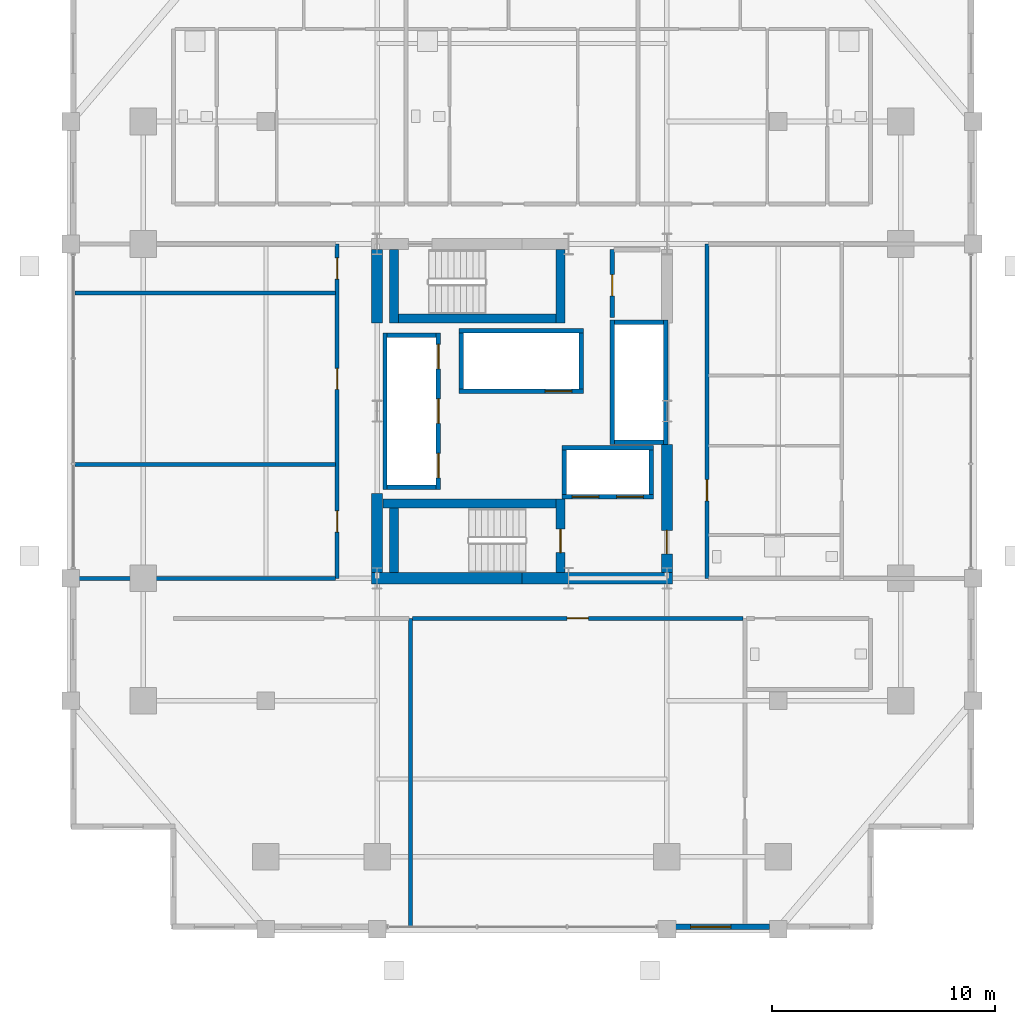
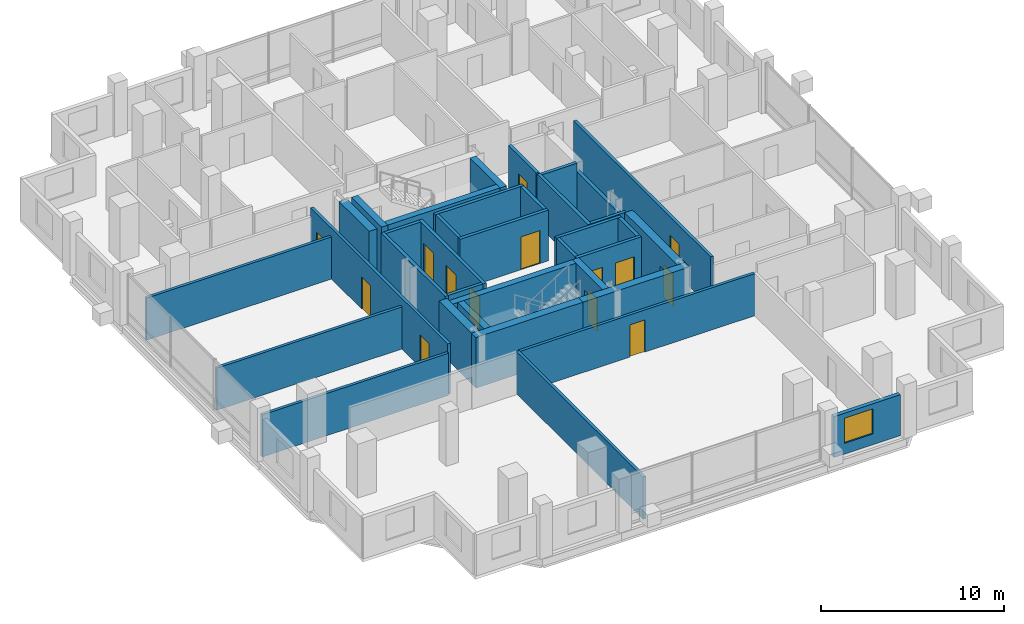
# One storey, part 14 of 19: 36 walls, 14 doors, 1 window, 15 openings.
"""IFC4 building model written with IfcOpenShell, lengths in metres."""

from ifc_helpers import new_model, si_unit, direction, frame, frame_2d, origin, place, context, subcontext, project, spatial, rectangle, extrude, material, layer, layer_set, type_object, element, fill, save


model = new_model("IFC4")

# Units and contexts
model_context = context("Model", 3, precision=1e-05, world=origin(), true_north=direction((0.0, 1.0)))
body_context = subcontext(model_context, "Body", "Model", "MODEL_VIEW")
ifc_project = project(units=[si_unit("LENGTHUNIT", "METRE"), si_unit("AREAUNIT", "SQUARE_METRE"), si_unit("VOLUMEUNIT", "CUBIC_METRE"), si_unit("PLANEANGLEUNIT", "RADIAN"), si_unit("MASSUNIT", "GRAM", prefix="KILO")], contexts=[model_context])

# Site, building, storey
site_placement = place(None, origin())
site = spatial("IfcSite", under=ifc_project, at=site_placement, CompositionType="ELEMENT")
building_placement = place(site_placement, origin())
building = spatial("IfcBuilding", under=site, at=building_placement, Name="Barlavira Tower and Art Museum", CompositionType="ELEMENT")
storey_placement = place(building_placement, frame((0.0, 0.0, 113.39990234375)))
storey = spatial("IfcBuildingStorey", under=building, at=storey_placement, Name="L28", CompositionType="ELEMENT", Elevation=113.39990234375)

# Walls
ifc_material_1 = material(Name="Concrete C60", Category="concrete")
ifc_layer_1 = layer(ifc_material_1, 0.5, Name="Concrete C60")
ifc_layer_set_1 = layer_set([ifc_layer_1], Name="Concrete C60")
wall_type_1 = type_object("IfcWallType", Name="Core Structural Shear Wall 500 Concrete C60", PredefinedType="SHEAR", material=ifc_layer_set_1)
for number, where, z_axis, x_axis, name in (
    (1, (-6.75, -7.5, 0.0), (0.0, 0.0, 1.0), (1.0, 0.0, 0.0), "L28 Core Shear Wall CS-SW"),
    (2, (0.0, -7.5, 0.0), (0.0, 0.0, 1.0), (1.0, 0.0, 0.0), "L28 Core Shear Wall CS-SE"),
):
    element("IfcWall", number, at=place(storey_placement, frame(where, z_axis=z_axis, x_axis=x_axis)), inside=storey, type_object=wall_type_1, Name=name, PredefinedType="SHEAR", context=body_context, shape_type="SweptSolid", body=[
        extrude(rectangle(XDim=6.75, YDim=0.5, at=frame_2d((3.375, 0.0))), origin(), (0.0, 0.0, 1.0), 3.380126953125),
    ])
wall_1_placement = place(storey_placement, frame((-6.5, -7.25, 0.0), z_axis=(0.0, 0.0, 1.0), x_axis=(0.0, 1.0, 0.0)))
element("IfcWall", 3, at=wall_1_placement, inside=storey, type_object=wall_type_1, Name="L28 Core Shear Wall CS-W1", PredefinedType="SHEAR", context=body_context, shape_type="SweptSolid", body=[
    extrude(rectangle(XDim=3.550048828125, YDim=0.5, at=frame_2d((1.77490234375, 0.0))), origin(), (0.0, 0.0, 1.0), 3.380126953125),
])
wall_2_placement = place(storey_placement, frame((-6.5, 3.949951171875, 0.0), z_axis=(0.0, 0.0, 1.0), x_axis=(0.0, 1.0, 0.0)))
element("IfcWall", 4, at=wall_2_placement, inside=storey, type_object=wall_type_1, Name="L28 Core Shear Wall CS-W2", PredefinedType="SHEAR", context=body_context, shape_type="SweptSolid", body=[
    extrude(rectangle(XDim=3.300048828125, YDim=0.5, at=frame_2d((1.64990234375, 0.0))), origin(), (0.0, 0.0, 1.0), 3.380126953125),
])

# Wall, opening, door
wall_3_placement = place(storey_placement, frame((6.5, -7.25, 0.0), z_axis=(0.0, 0.0, 1.0), x_axis=(0.0, 1.0, 0.0)))
wall_3 = element("IfcWall", 5, at=wall_3_placement, inside=storey, type_object=wall_type_1, Name="L28 Core Shear Wall CS-E1", PredefinedType="SHEAR", context=body_context, shape_type="SweptSolid", body=[
    extrude(rectangle(XDim=5.75, YDim=0.5, at=frame_2d((2.875, 0.0))), origin(), (0.0, 0.0, 1.0), 3.380126953125),
])
opening_1_placement = place(wall_3_placement, frame((0.85009765625, 0.0, 0.0)))
opening_1 = element("IfcOpeningElement", 6, at=opening_1_placement, cuts=wall_3, Name="Opening FD-90", PredefinedType="OPENING", context=body_context, shape_type="SweptSolid", body=[
    extrude(rectangle(XDim=1.050048828125, YDim=2.14990234375, at=frame_2d((0.52490234375, 1.074951171875))), frame((0.0, 0.260009765625, 0.0), z_axis=(0.0, -1.0, 0.0), x_axis=(1.0, 0.0, 0.0)), (0.0, 0.0, 1.0), 0.52001953125),
])
ifc_material_2 = material(Name="Brushed stainless steel", Category="steel")
door_type_1 = type_object("IfcDoorType", Name="Stair and Refuge Fire Door 1050x2150 FD90S", OperationType="NOTDEFINED", PredefinedType="DOOR", material=ifc_material_2)
door_1_placement = place(opening_1_placement, origin())
door_1 = element("IfcDoor", 7, at=door_1_placement, inside=storey, type_object=door_type_1, Name="L28 Firefighting Lobby Entry Fire Door", OperationType="SINGLE_SWING_LEFT", OverallHeight=2.14990234375, OverallWidth=1.050048828125, PredefinedType="DOOR", context=body_context, shape_type="SweptSolid", body=[
    extrude(rectangle(XDim=1.050048828125, YDim=2.14990234375, at=frame_2d((0.52490234375, 1.074951171875))), frame((0.0, 0.02490234375, 0.0), z_axis=(0.0, -1.0, 0.0), x_axis=(1.0, 0.0, 0.0)), (0.0, 0.0, 1.0), 0.050048828125),
])
fill(opening_1, door_1)

# Wall, openings, doors
ifc_material_3 = material(Name="Autoclaved aerated concrete masonry", Category="masonry")
ifc_layer_2 = layer(ifc_material_3, 0.199951171875, Name="Autoclaved aerated concrete masonry")
ifc_layer_set_2 = layer_set([ifc_layer_2], Name="Autoclaved aerated concrete masonry")
wall_type_2 = type_object("IfcWallType", Name="Fire Compartment and Shaft Wall 200", PredefinedType="SOLIDWALL", material=ifc_layer_set_2)
wall_4_placement = place(storey_placement, frame((-3.75, -3.510009765625, 0.0), z_axis=(0.0, 0.0, 1.0), x_axis=(0.0, 1.0, 0.0)))
wall_4 = element("IfcWall", 8, at=wall_4_placement, inside=storey, type_object=wall_type_2, Name="L28 Low-Rise Lift Front Shaft Wall", PredefinedType="SOLIDWALL", context=body_context, shape_type="SweptSolid", body=[
    extrude(rectangle(XDim=7.02001953125, YDim=0.199951171875, at=frame_2d((3.510009765625, 0.0))), origin(), (0.0, 0.0, 1.0), 3.380126953125),
])
opening_2_placement = place(wall_4_placement, frame((0.510009765625, 0.0, 0.0)))
opening_2 = element("IfcOpeningElement", 9, at=opening_2_placement, cuts=wall_4, Name="Opening LD-P", PredefinedType="OPENING", context=body_context, shape_type="SweptSolid", body=[
    extrude(rectangle(XDim=1.10009765625, YDim=2.14990234375, at=frame_2d((0.550048828125, 1.074951171875))), frame((0.0, 0.10986328125, 0.0), z_axis=(0.0, -1.0, 0.0), x_axis=(1.0, 0.0, 0.0)), (0.0, 0.0, 1.0), 0.219970703125),
])
opening_3_placement = place(wall_4_placement, frame((2.9599609375, 0.0, 0.0)))
opening_3 = element("IfcOpeningElement", 10, at=opening_3_placement, cuts=wall_4, Name="Opening LD-P", PredefinedType="OPENING", context=body_context, shape_type="SweptSolid", body=[
    extrude(rectangle(XDim=1.10009765625, YDim=2.14990234375, at=frame_2d((0.550048828125, 1.074951171875))), frame((0.0, 0.10986328125, 0.0), z_axis=(0.0, -1.0, 0.0), x_axis=(1.0, 0.0, 0.0)), (0.0, 0.0, 1.0), 0.219970703125),
])
opening_4_placement = place(wall_4_placement, frame((5.409912109375, 0.0, 0.0)))
opening_4 = element("IfcOpeningElement", 11, at=opening_4_placement, cuts=wall_4, Name="Opening LD-P", PredefinedType="OPENING", context=body_context, shape_type="SweptSolid", body=[
    extrude(rectangle(XDim=1.10009765625, YDim=2.14990234375, at=frame_2d((0.550048828125, 1.074951171875))), frame((0.0, 0.10986328125, 0.0), z_axis=(0.0, -1.0, 0.0), x_axis=(1.0, 0.0, 0.0)), (0.0, 0.0, 1.0), 0.219970703125),
])
door_type_2 = type_object("IfcDoorType", Name="Passenger Lift Sliding Landing Door 1100x2150 FD60", OperationType="NOTDEFINED", PredefinedType="DOOR", material=ifc_material_2)
door_2_placement = place(opening_2_placement, origin())
door_2 = element("IfcDoor", 12, at=door_2_placement, inside=storey, type_object=door_type_2, Name="L28 Lift PL1 Sliding Landing Door", OperationType="DOUBLE_DOOR_SLIDING", OverallHeight=2.14990234375, OverallWidth=1.10009765625, PredefinedType="DOOR", context=body_context, shape_type="SweptSolid", body=[
    extrude(rectangle(XDim=1.10009765625, YDim=2.14990234375, at=frame_2d((0.550048828125, 1.074951171875))), frame((0.0, 0.02490234375, 0.0), z_axis=(0.0, -1.0, 0.0), x_axis=(1.0, 0.0, 0.0)), (0.0, 0.0, 1.0), 0.050048828125),
])
fill(opening_2, door_2)
door_3_placement = place(opening_3_placement, origin())
door_3 = element("IfcDoor", 13, at=door_3_placement, inside=storey, type_object=door_type_2, Name="L28 Lift PL2 Sliding Landing Door", OperationType="DOUBLE_DOOR_SLIDING", OverallHeight=2.14990234375, OverallWidth=1.10009765625, PredefinedType="DOOR", context=body_context, shape_type="SweptSolid", body=[
    extrude(rectangle(XDim=1.10009765625, YDim=2.14990234375, at=frame_2d((0.550048828125, 1.074951171875))), frame((0.0, 0.02490234375, 0.0), z_axis=(0.0, -1.0, 0.0), x_axis=(1.0, 0.0, 0.0)), (0.0, 0.0, 1.0), 0.050048828125),
])
fill(opening_3, door_3)
door_4_placement = place(opening_4_placement, origin())
door_4 = element("IfcDoor", 14, at=door_4_placement, inside=storey, type_object=door_type_2, Name="L28 Lift PL3 Sliding Landing Door", OperationType="DOUBLE_DOOR_SLIDING", OverallHeight=2.14990234375, OverallWidth=1.10009765625, PredefinedType="DOOR", context=body_context, shape_type="SweptSolid", body=[
    extrude(rectangle(XDim=1.10009765625, YDim=2.14990234375, at=frame_2d((0.550048828125, 1.074951171875))), frame((0.0, 0.02490234375, 0.0), z_axis=(0.0, -1.0, 0.0), x_axis=(1.0, 0.0, 0.0)), (0.0, 0.0, 1.0), 0.050048828125),
])
fill(opening_4, door_4)

# Walls
wall_5_placement = place(storey_placement, frame((-6.14990234375, -3.510009765625, 0.0), z_axis=(0.0, 0.0, 1.0), x_axis=(0.0, 1.0, 0.0)))
element("IfcWall", 15, at=wall_5_placement, inside=storey, type_object=wall_type_2, Name="L28 Low-Rise Lift Back Shaft Wall", PredefinedType="SOLIDWALL", context=body_context, shape_type="SweptSolid", body=[
    extrude(rectangle(XDim=7.02001953125, YDim=0.199951171875, at=frame_2d((3.510009765625, 0.0))), origin(), (0.0, 0.0, 1.0), 3.380126953125),
])
for number, where, z_axis, x_axis, name in (
    (16, (-6.050048828125, -3.409912109375, 0.0), (0.0, 0.0, 1.0), (1.0, 0.0, 0.0), "L28 Low-Rise Lift South Shaft Wall"),
    (17, (-6.050048828125, 3.409912109375, 0.0), (0.0, 0.0, 1.0), (1.0, 0.0, 0.0), "L28 Low-Rise Lift North Shaft Wall"),
):
    element("IfcWall", number, at=place(storey_placement, frame(where, z_axis=z_axis, x_axis=x_axis)), inside=storey, type_object=wall_type_2, Name=name, PredefinedType="SOLIDWALL", context=body_context, shape_type="SweptSolid", body=[
        extrude(rectangle(XDim=2.199951171875, YDim=0.199951171875, at=frame_2d((1.10009765625, 0.0))), origin(), (0.0, 0.0, 1.0), 3.380126953125),
    ])
wall_6_placement = place(storey_placement, frame((4.050048828125, -1.489990234375, 0.0), z_axis=(0.0, 0.0, 1.0), x_axis=(0.0, 1.0, 0.0)))
element("IfcWall", 18, at=wall_6_placement, inside=storey, type_object=wall_type_2, Name="L28 Mid-Rise Lift Front Shaft Wall", PredefinedType="SOLIDWALL", context=body_context, shape_type="SweptSolid", body=[
    extrude(rectangle(XDim=5.580078125, YDim=0.199951171875, at=frame_2d((2.7900390625, 0.0))), origin(), (0.0, 0.0, 1.0), 3.380126953125),
])
wall_7_placement = place(storey_placement, frame((6.449951171875, -1.489990234375, 0.0), z_axis=(0.0, 0.0, 1.0), x_axis=(0.0, 1.0, 0.0)))
element("IfcWall", 19, at=wall_7_placement, inside=storey, type_object=wall_type_2, Name="L28 Mid-Rise Lift Back Shaft Wall", PredefinedType="SOLIDWALL", context=body_context, shape_type="SweptSolid", body=[
    extrude(rectangle(XDim=5.580078125, YDim=0.199951171875, at=frame_2d((2.7900390625, 0.0))), origin(), (0.0, 0.0, 1.0), 2.816162109375),
])
for number, where, z_axis, x_axis, name in (
    (20, (4.14990234375, -1.389892578125, 0.0), (0.0, 0.0, 1.0), (1.0, 0.0, 0.0), "L28 Mid-Rise Lift South Shaft Wall"),
    (21, (4.14990234375, 3.989990234375, 0.0), (0.0, 0.0, 1.0), (1.0, 0.0, 0.0), "L28 Mid-Rise Lift North Shaft Wall"),
):
    element("IfcWall", number, at=place(storey_placement, frame(where, z_axis=z_axis, x_axis=x_axis)), inside=storey, type_object=wall_type_2, Name=name, PredefinedType="SOLIDWALL", context=body_context, shape_type="SweptSolid", body=[
        extrude(rectangle(XDim=2.2001953125, YDim=0.199951171875, at=frame_2d((1.10009765625, 0.0))), origin(), (0.0, 0.0, 1.0), 3.380126953125),
    ])

# Wall, opening, door
wall_8_placement = place(storey_placement, frame((-2.820068359375, 0.89990234375, 0.0), z_axis=(0.0, 0.0, 1.0), x_axis=(1.0, 0.0, 0.0)))
wall_8 = element("IfcWall", 22, at=wall_8_placement, inside=storey, type_object=wall_type_2, Name="L28 High-Rise & Service Lift Front Wall", PredefinedType="SOLIDWALL", context=body_context, shape_type="SweptSolid", body=[
    extrude(rectangle(XDim=5.580078125, YDim=0.199951171875, at=frame_2d((2.7900390625, 0.0))), origin(), (0.0, 0.0, 1.0), 3.380126953125),
])
opening_5_placement = place(wall_8_placement, frame((3.860107421875, 0.0, 0.0)))
opening_5 = element("IfcOpeningElement", 23, at=opening_5_placement, cuts=wall_8, Name="Opening LD-F", PredefinedType="OPENING", context=body_context, shape_type="SweptSolid", body=[
    extrude(rectangle(XDim=1.199951171875, YDim=2.199951171875, at=frame_2d((0.60009765625, 1.10009765625))), frame((0.0, 0.10986328125, 0.0), z_axis=(0.0, -1.0, 0.0), x_axis=(1.0, 0.0, 0.0)), (0.0, 0.0, 1.0), 0.219970703125),
])
door_type_3 = type_object("IfcDoorType", Name="Firefighting and Service Lift Sliding Door 1200x2200 FD120", OperationType="NOTDEFINED", PredefinedType="DOOR", material=ifc_material_2)
door_5_placement = place(opening_5_placement, origin())
door_5 = element("IfcDoor", 24, at=door_5_placement, inside=storey, type_object=door_type_3, Name="L28 Stretcher Service Lift SL1 Sliding Door", OperationType="DOUBLE_DOOR_SLIDING", OverallHeight=2.199951171875, OverallWidth=1.199951171875, PredefinedType="DOOR", context=body_context, shape_type="SweptSolid", body=[
    extrude(rectangle(XDim=1.199951171875, YDim=2.199951171875, at=frame_2d((0.60009765625, 1.10009765625))), frame((0.0, 0.02490234375, 0.0), z_axis=(0.0, -1.0, 0.0), x_axis=(1.0, 0.0, 0.0)), (0.0, 0.0, 1.0), 0.050048828125),
])
fill(opening_5, door_5)

# Walls
wall_9_placement = place(storey_placement, frame((-2.820068359375, 3.60009765625, 0.0), z_axis=(0.0, 0.0, 1.0), x_axis=(1.0, 0.0, 0.0)))
element("IfcWall", 25, at=wall_9_placement, inside=storey, type_object=wall_type_2, Name="L28 High-Rise & Service Lift Back Wall", PredefinedType="SOLIDWALL", context=body_context, shape_type="SweptSolid", body=[
    extrude(rectangle(XDim=5.580078125, YDim=0.199951171875, at=frame_2d((2.7900390625, 0.0))), origin(), (0.0, 0.0, 1.0), 3.380126953125),
])
for number, where, z_axis, x_axis, name in (
    (26, (-2.719970703125, 1.0, 0.0), (0.0, 0.0, 1.0), (0.0, 1.0, 0.0), "L28 High-Rise & Service Lift West Wall"),
    (27, (2.659912109375, 1.0, 0.0), (0.0, 0.0, 1.0), (0.0, 1.0, 0.0), "L28 High-Rise & Service Lift East Wall"),
):
    element("IfcWall", number, at=place(storey_placement, frame(where, z_axis=z_axis, x_axis=x_axis)), inside=storey, type_object=wall_type_2, Name=name, PredefinedType="SOLIDWALL", context=body_context, shape_type="SweptSolid", body=[
        extrude(rectangle(XDim=2.5, YDim=0.199951171875, at=frame_2d((1.25, 0.0))), origin(), (0.0, 0.0, 1.0), 3.380126953125),
    ])

# Wall, openings, doors
wall_10_placement = place(storey_placement, frame((1.800048828125, -3.85009765625, 0.0), z_axis=(0.0, 0.0, 1.0), x_axis=(1.0, 0.0, 0.0)))
wall_10 = element("IfcWall", 28, at=wall_10_placement, inside=storey, type_object=wall_type_2, Name="L28 Firefighting Lift Front Shaft Wall", PredefinedType="SOLIDWALL", context=body_context, shape_type="SweptSolid", body=[
    extrude(rectangle(XDim=4.099853515625, YDim=0.199951171875, at=frame_2d((2.0498046875, 0.0))), origin(), (0.0, 0.0, 1.0), 3.380126953125),
])
opening_6_placement = place(wall_10_placement, frame((0.449951171875, 0.0, 0.0)))
opening_6 = element("IfcOpeningElement", 29, at=opening_6_placement, cuts=wall_10, Name="Opening LD-F", PredefinedType="OPENING", context=body_context, shape_type="SweptSolid", body=[
    extrude(rectangle(XDim=1.199951171875, YDim=2.199951171875, at=frame_2d((0.60009765625, 1.10009765625))), frame((0.0, 0.10986328125, 0.0), z_axis=(0.0, -1.0, 0.0), x_axis=(1.0, 0.0, 0.0)), (0.0, 0.0, 1.0), 0.219970703125),
])
opening_7_placement = place(wall_10_placement, frame((2.449951171875, 0.0, 0.0)))
opening_7 = element("IfcOpeningElement", 30, at=opening_7_placement, cuts=wall_10, Name="Opening LD-F", PredefinedType="OPENING", context=body_context, shape_type="SweptSolid", body=[
    extrude(rectangle(XDim=1.199951171875, YDim=2.199951171875, at=frame_2d((0.60009765625, 1.10009765625))), frame((0.0, 0.10986328125, 0.0), z_axis=(0.0, -1.0, 0.0), x_axis=(1.0, 0.0, 0.0)), (0.0, 0.0, 1.0), 0.219970703125),
])
door_6_placement = place(opening_6_placement, origin())
door_6 = element("IfcDoor", 31, at=door_6_placement, inside=storey, type_object=door_type_3, Name="L28 Firefighting Lift FF1 Sliding Door", OperationType="DOUBLE_DOOR_SLIDING", OverallHeight=2.199951171875, OverallWidth=1.199951171875, PredefinedType="DOOR", context=body_context, shape_type="SweptSolid", body=[
    extrude(rectangle(XDim=1.199951171875, YDim=2.199951171875, at=frame_2d((0.60009765625, 1.10009765625))), frame((0.0, 0.02490234375, 0.0), z_axis=(0.0, -1.0, 0.0), x_axis=(1.0, 0.0, 0.0)), (0.0, 0.0, 1.0), 0.050048828125),
])
fill(opening_6, door_6)
door_7_placement = place(opening_7_placement, origin())
door_7 = element("IfcDoor", 32, at=door_7_placement, inside=storey, type_object=door_type_3, Name="L28 Firefighting Lift FF2 Sliding Door", OperationType="DOUBLE_DOOR_SLIDING", OverallHeight=2.199951171875, OverallWidth=1.199951171875, PredefinedType="DOOR", context=body_context, shape_type="SweptSolid", body=[
    extrude(rectangle(XDim=1.199951171875, YDim=2.199951171875, at=frame_2d((0.60009765625, 1.10009765625))), frame((0.0, 0.02490234375, 0.0), z_axis=(0.0, -1.0, 0.0), x_axis=(1.0, 0.0, 0.0)), (0.0, 0.0, 1.0), 0.050048828125),
])
fill(opening_7, door_7)

# Walls
wall_11_placement = place(storey_placement, frame((1.800048828125, -1.64990234375, 0.0), z_axis=(0.0, 0.0, 1.0), x_axis=(1.0, 0.0, 0.0)))
element("IfcWall", 33, at=wall_11_placement, inside=storey, type_object=wall_type_2, Name="L28 Firefighting Lift Back Shaft Wall", PredefinedType="SOLIDWALL", context=body_context, shape_type="SweptSolid", body=[
    extrude(rectangle(XDim=4.099853515625, YDim=0.199951171875, at=frame_2d((2.0498046875, 0.0))), origin(), (0.0, 0.0, 1.0), 3.380126953125),
])
for number, where, z_axis, x_axis, name in (
    (34, (1.89990234375, -3.75, 0.0), (0.0, 0.0, 1.0), (0.0, 1.0, 0.0), "L28 Firefighting Lift West Shaft Wall"),
    (35, (5.800048828125, -3.75, 0.0), (0.0, 0.0, 1.0), (0.0, 1.0, 0.0), "L28 Firefighting Lift East Shaft Wall"),
):
    element("IfcWall", number, at=place(storey_placement, frame(where, z_axis=z_axis, x_axis=x_axis)), inside=storey, type_object=wall_type_2, Name=name, PredefinedType="SOLIDWALL", context=body_context, shape_type="SweptSolid", body=[
        extrude(rectangle(XDim=2.0, YDim=0.199951171875, at=frame_2d((1.0, 0.0))), origin(), (0.0, 0.0, 1.0), 3.380126953125),
    ])

# Wall, opening, door
wall_12_placement = place(storey_placement, frame((4.050048828125, 4.199951171875, 0.0), z_axis=(0.0, 0.0, 1.0), x_axis=(0.0, 1.0, 0.0)))
wall_12 = element("IfcWall", 36, at=wall_12_placement, inside=storey, type_object=wall_type_2, Name="L28 Partition Wall 11", PredefinedType="SOLIDWALL", context=body_context, shape_type="SweptSolid", body=[
    extrude(rectangle(XDim=3.050048828125, YDim=0.199951171875, at=frame_2d((1.52490234375, 0.0))), origin(), (0.0, 0.0, 1.0), 3.380126953125),
])
opening_8_placement = place(wall_12_placement, frame((0.97509765625, 0.0, 0.0)))
opening_8 = element("IfcOpeningElement", 37, at=opening_8_placement, cuts=wall_12, Name="Opening FD-60", PredefinedType="OPENING", context=body_context, shape_type="SweptSolid", body=[
    extrude(rectangle(XDim=0.949951171875, YDim=2.14990234375, at=frame_2d((0.47509765625, 1.074951171875))), frame((0.0, 0.10986328125, 0.0), z_axis=(0.0, -1.0, 0.0), x_axis=(1.0, 0.0, 0.0)), (0.0, 0.0, 1.0), 0.219970703125),
])
door_type_4 = type_object("IfcDoorType", Name="Apartment Entrance and Riser Fire Door 950x2150 FD60S", OperationType="NOTDEFINED", PredefinedType="DOOR", material=ifc_material_2)
door_8_placement = place(opening_8_placement, origin())
door_8 = element("IfcDoor", 38, at=door_8_placement, inside=storey, type_object=door_type_4, Name="Combined Electrical and Telecom Plant Room Door", OperationType="SINGLE_SWING_LEFT", OverallHeight=2.14990234375, OverallWidth=0.949951171875, PredefinedType="DOOR", context=body_context, shape_type="SweptSolid", body=[
    extrude(rectangle(XDim=0.949951171875, YDim=2.14990234375, at=frame_2d((0.47509765625, 1.074951171875))), frame((0.0, 0.02490234375, 0.0), z_axis=(0.0, -1.0, 0.0), x_axis=(1.0, 0.0, 0.0)), (0.0, 0.0, 1.0), 0.050048828125),
])
fill(opening_8, door_8)

# Wall, openings, doors
ifc_material_4 = material(Name="Gypsum acoustic stud partition", Category="gypsum")
ifc_layer_3 = layer(ifc_material_4, 0.179931640625, Name="Gypsum acoustic stud partition")
ifc_layer_set_3 = layer_set([ifc_layer_3], Name="Gypsum acoustic stud partition")
wall_type_3 = type_object("IfcWallType", Name="Inter-Tenancy Party Partition Wall 180", PredefinedType="PARTITIONING", material=ifc_layer_set_3)
wall_13_placement = place(storey_placement, frame((-8.300048828125, -7.5, 0.0), z_axis=(0.0, 0.0, 1.0), x_axis=(0.0, 1.0, 0.0)))
wall_13 = element("IfcWall", 39, at=wall_13_placement, inside=storey, type_object=wall_type_3, Name="L28 Partition Wall 5", PredefinedType="PARTITIONING", context=body_context, shape_type="SweptSolid", body=[
    extrude(rectangle(XDim=15.0, YDim=0.179931640625, at=frame_2d((7.5, 0.0))), origin(), (0.0, 0.0, 1.0), 3.380126953125),
])
opening_9_placement = place(wall_13_placement, frame((2.074951171875, 0.0, 0.0)))
opening_9 = element("IfcOpeningElement", 40, at=opening_9_placement, cuts=wall_13, Name="Opening FD-60", PredefinedType="OPENING", context=body_context, shape_type="SweptSolid", body=[
    extrude(rectangle(XDim=0.949951171875, YDim=2.14990234375, at=frame_2d((0.47509765625, 1.074951171875))), frame((0.0, 0.10009765625, 0.0), z_axis=(0.0, -1.0, 0.0), x_axis=(1.0, 0.0, 0.0)), (0.0, 0.0, 1.0), 0.199951171875),
])
opening_10_placement = place(wall_13_placement, frame((8.47509765625, 0.0, 0.0)))
opening_10 = element("IfcOpeningElement", 41, at=opening_10_placement, cuts=wall_13, Name="Opening FD-60", PredefinedType="OPENING", context=body_context, shape_type="SweptSolid", body=[
    extrude(rectangle(XDim=0.949951171875, YDim=2.14990234375, at=frame_2d((0.47509765625, 1.074951171875))), frame((0.0, 0.10009765625, 0.0), z_axis=(0.0, -1.0, 0.0), x_axis=(1.0, 0.0, 0.0)), (0.0, 0.0, 1.0), 0.199951171875),
])
opening_11_placement = place(wall_13_placement, frame((13.425048828125, 0.0, 0.0)))
opening_11 = element("IfcOpeningElement", 42, at=opening_11_placement, cuts=wall_13, Name="Opening FD-60", PredefinedType="OPENING", context=body_context, shape_type="SweptSolid", body=[
    extrude(rectangle(XDim=0.949951171875, YDim=2.14990234375, at=frame_2d((0.47509765625, 1.074951171875))), frame((0.0, 0.10009765625, 0.0), z_axis=(0.0, -1.0, 0.0), x_axis=(1.0, 0.0, 0.0)), (0.0, 0.0, 1.0), 0.199951171875),
])
door_9_placement = place(opening_9_placement, origin())
door_9 = element("IfcDoor", 43, at=door_9_placement, inside=storey, type_object=door_type_4, Name="Resident Sky Coworking Studio Door", OperationType="SINGLE_SWING_LEFT", OverallHeight=2.14990234375, OverallWidth=0.949951171875, PredefinedType="DOOR", context=body_context, shape_type="SweptSolid", body=[
    extrude(rectangle(XDim=0.949951171875, YDim=2.14990234375, at=frame_2d((0.47509765625, 1.074951171875))), frame((0.0, 0.02490234375, 0.0), z_axis=(0.0, -1.0, 0.0), x_axis=(1.0, 0.0, 0.0)), (0.0, 0.0, 1.0), 0.050048828125),
])
fill(opening_9, door_9)
door_10_placement = place(opening_10_placement, origin())
door_10 = element("IfcDoor", 44, at=door_10_placement, inside=storey, type_object=door_type_4, Name="Atlantic Horizon Boardroom Door", OperationType="SINGLE_SWING_RIGHT", OverallHeight=2.14990234375, OverallWidth=0.949951171875, PredefinedType="DOOR", context=body_context, shape_type="SweptSolid", body=[
    extrude(rectangle(XDim=0.949951171875, YDim=2.14990234375, at=frame_2d((0.47509765625, 1.074951171875))), frame((0.0, 0.02490234375, 0.0), z_axis=(0.0, -1.0, 0.0), x_axis=(1.0, 0.0, 0.0)), (0.0, 0.0, 1.0), 0.050048828125),
])
fill(opening_10, door_10)
door_11_placement = place(opening_11_placement, origin())
door_11 = element("IfcDoor", 45, at=door_11_placement, inside=storey, type_object=door_type_4, Name="Shared Coworking Espresso Pantry Door", OperationType="SINGLE_SWING_LEFT", OverallHeight=2.14990234375, OverallWidth=0.949951171875, PredefinedType="DOOR", context=body_context, shape_type="SweptSolid", body=[
    extrude(rectangle(XDim=0.949951171875, YDim=2.14990234375, at=frame_2d((0.47509765625, 1.074951171875))), frame((0.0, 0.02490234375, 0.0), z_axis=(0.0, -1.0, 0.0), x_axis=(1.0, 0.0, 0.0)), (0.0, 0.0, 1.0), 0.050048828125),
])
fill(opening_11, door_11)

# Wall
wall_14_placement = place(storey_placement, frame((-5.0, -23.14990234375, 0.0), z_axis=(0.0, 0.0, 1.0), x_axis=(0.0, 1.0, 0.0)))
element("IfcWall", 46, at=wall_14_placement, inside=storey, type_object=wall_type_3, Name="L28 Partition Wall 7", PredefinedType="PARTITIONING", context=body_context, shape_type="SweptSolid", body=[
    extrude(rectangle(XDim=13.849853515625, YDim=0.179931640625, at=frame_2d((6.9248046875, 0.0))), origin(), (0.0, 0.0, 1.0), 2.816162109375),
])

# Wall, opening, door
wall_15_placement = place(storey_placement, frame((8.300048828125, -7.5, 0.0), z_axis=(0.0, 0.0, 1.0), x_axis=(0.0, 1.0, 0.0)))
wall_15 = element("IfcWall", 47, at=wall_15_placement, inside=storey, type_object=wall_type_3, Name="L28 Partition Wall 13", PredefinedType="PARTITIONING", context=body_context, shape_type="SweptSolid", body=[
    extrude(rectangle(XDim=15.0, YDim=0.179931640625, at=frame_2d((7.5, 0.0))), origin(), (0.0, 0.0, 1.0), 3.380126953125),
])
opening_12_placement = place(wall_15_placement, frame((3.47509765625, 0.0, 0.0)))
opening_12 = element("IfcOpeningElement", 48, at=opening_12_placement, cuts=wall_15, Name="Opening FD-60", PredefinedType="OPENING", context=body_context, shape_type="SweptSolid", body=[
    extrude(rectangle(XDim=0.949951171875, YDim=2.14990234375, at=frame_2d((0.47509765625, 1.074951171875))), frame((0.0, 0.10009765625, 0.0), z_axis=(0.0, -1.0, 0.0), x_axis=(1.0, 0.0, 0.0)), (0.0, 0.0, 1.0), 0.199951171875),
])
door_12_placement = place(opening_12_placement, origin())
door_12 = element("IfcDoor", 49, at=door_12_placement, inside=storey, type_object=door_type_4, Name="Apartment Entrance Hall E1 Door", OperationType="SINGLE_SWING_LEFT", OverallHeight=2.14990234375, OverallWidth=0.949951171875, PredefinedType="DOOR", context=body_context, shape_type="SweptSolid", body=[
    extrude(rectangle(XDim=0.949951171875, YDim=2.14990234375, at=frame_2d((0.47509765625, 1.074951171875))), frame((0.0, 0.02490234375, 0.0), z_axis=(0.0, -1.0, 0.0), x_axis=(1.0, 0.0, 0.0)), (0.0, 0.0, 1.0), 0.050048828125),
])
fill(opening_12, door_12)

wall_16_placement = place(storey_placement, frame((-4.919921875, -9.300048828125, 0.0), z_axis=(0.0, 0.0, 1.0), x_axis=(1.0, 0.0, 0.0)))
wall_16 = element("IfcWall", 50, at=wall_16_placement, inside=storey, type_object=wall_type_3, Name="L28 Partition Wall 23", PredefinedType="PARTITIONING", context=body_context, shape_type="SweptSolid", body=[
    extrude(rectangle(XDim=14.83984375, YDim=0.179931640625, at=frame_2d((7.419921875, 0.0))), origin(), (0.0, 0.0, 1.0), 2.816162109375),
])
opening_13_placement = place(wall_16_placement, frame((6.945068359375, 0.0, 0.0)))
opening_13 = element("IfcOpeningElement", 51, at=opening_13_placement, cuts=wall_16, Name="Opening FD-60", PredefinedType="OPENING", context=body_context, shape_type="SweptSolid", body=[
    extrude(rectangle(XDim=0.949951171875, YDim=2.14990234375, at=frame_2d((0.47509765625, 1.074951171875))), frame((0.0, 0.10009765625, 0.0), z_axis=(0.0, -1.0, 0.0), x_axis=(1.0, 0.0, 0.0)), (0.0, 0.0, 1.0), 0.199951171875),
])
door_13_placement = place(opening_13_placement, origin())
door_13 = element("IfcDoor", 52, at=door_13_placement, inside=storey, type_object=door_type_4, Name="Coastal Hydrotherapy and Yoga Lounge Door", OperationType="SINGLE_SWING_LEFT", OverallHeight=2.14990234375, OverallWidth=0.949951171875, PredefinedType="DOOR", context=body_context, shape_type="SweptSolid", body=[
    extrude(rectangle(XDim=0.949951171875, YDim=2.14990234375, at=frame_2d((0.47509765625, 1.074951171875))), frame((0.0, 0.02490234375, 0.0), z_axis=(0.0, -1.0, 0.0), x_axis=(1.0, 0.0, 0.0)), (0.0, 0.0, 1.0), 0.050048828125),
])
fill(opening_13, door_13)

# Walls
wall_17_placement = place(storey_placement, frame((-20.14990234375, -7.5, 0.0), z_axis=(0.0, 0.0, 1.0), x_axis=(1.0, 0.0, 0.0)))
element("IfcWall", 53, at=wall_17_placement, inside=storey, type_object=wall_type_3, Name="L28 Partition Wall 25", PredefinedType="PARTITIONING", context=body_context, shape_type="SweptSolid", body=[
    extrude(rectangle(XDim=11.77001953125, YDim=0.179931640625, at=frame_2d((5.885009765625, 0.0))), origin(), (0.0, 0.0, 1.0), 2.816162109375),
])
for number, where, z_axis, x_axis, name in (
    (54, (-20.070068359375, -2.39990234375, 0.0), (0.0, 0.0, 1.0), (1.0, 0.0, 0.0), "L28 Partition Wall 29"),
    (55, (-20.070068359375, 5.300048828125, 0.0), (0.0, 0.0, 1.0), (1.0, 0.0, 0.0), "L28 Partition Wall 33"),
):
    element("IfcWall", number, at=place(storey_placement, frame(where, z_axis=z_axis, x_axis=x_axis)), inside=storey, type_object=wall_type_3, Name=name, PredefinedType="PARTITIONING", context=body_context, shape_type="SweptSolid", body=[
        extrude(rectangle(XDim=11.690185546875, YDim=0.179931640625, at=frame_2d((5.84521484375, 0.0))), origin(), (0.0, 0.0, 1.0), 2.816162109375),
    ])

# Wall, opening, window
ifc_material_5 = material(Name="Precast concrete C40", Category="concrete")
ifc_layer_4 = layer(ifc_material_5, 0.25, Name="Precast concrete C40")
ifc_layer_set_4 = layer_set([ifc_layer_4], Name="Precast concrete C40")
wall_type_4 = type_object("IfcWallType", Name="Notched Corner Spandrel Wall 250 Precast Concrete C40", PredefinedType="SOLIDWALL", material=ifc_layer_set_4)
wall_18_placement = place(storey_placement, frame((6.89501953125, -23.14990234375, 0.0), z_axis=(0.0, 0.0, 1.0), x_axis=(1.0, 0.0, 0.0)))
wall_18 = element("IfcWall", 56, at=wall_18_placement, inside=storey, type_object=wall_type_4, Name="L28 Coastal Facade Pier Wall CW2-L28-S-4", PredefinedType="SOLIDWALL", context=body_context, shape_type="SweptSolid", body=[
    extrude(rectangle(XDim=4.2099609375, YDim=0.25, at=frame_2d((2.10498046875, 0.0))), origin(), (0.0, 0.0, 1.0), 2.736083984375),
])
opening_14_placement = place(wall_18_placement, frame((0.675048828125, 0.0, 0.719970703125)))
opening_14 = element("IfcOpeningElement", 57, at=opening_14_placement, cuts=wall_18, Name="Opening WN-01", PredefinedType="OPENING", context=body_context, shape_type="SweptSolid", body=[
    extrude(rectangle(XDim=1.800048828125, YDim=1.679931640625, at=frame_2d((0.89990234375, 0.83984375))), frame((0.0, 0.135009765625, 0.0), z_axis=(0.0, -1.0, 0.0), x_axis=(1.0, 0.0, 0.0)), (0.0, 0.0, 1.0), 0.27001953125),
])
ifc_material_6 = material(Name="Low-iron coastal laminated glass", Category="glass")
window_type = type_object("IfcWindowType", Name="Recessed Notch Corner Punch Window 1800x1680", PartitioningType="SINGLE_PANEL", PredefinedType="WINDOW", material=ifc_material_6)
window_placement = place(opening_14_placement, origin())
window = element("IfcWindow", 58, at=window_placement, inside=storey, type_object=window_type, Name="L28 Punched Facade Window EWP-CW2-L28-S-4-1", OverallHeight=1.679931640625, OverallWidth=1.800048828125, PartitioningType="SINGLE_PANEL", PredefinedType="WINDOW", context=body_context, shape_type="SweptSolid", body=[
    extrude(rectangle(XDim=1.800048828125, YDim=1.679931640625, at=frame_2d((0.89990234375, 0.83984375))), frame((0.0, 0.030029296875, 0.0), z_axis=(0.0, -1.0, 0.0), x_axis=(1.0, 0.0, 0.0)), (0.0, 0.0, 1.0), 0.06005859375),
])
fill(opening_14, window)

# Walls
ifc_material_7 = material(Name="Concrete C55", Category="concrete")
ifc_layer_5 = layer(ifc_material_7, 0.39990234375, Name="Concrete C55")
ifc_layer_set_5 = layer_set([ifc_layer_5], Name="Concrete C55")
wall_type_5 = type_object("IfcWallType", Name="Upper Core Shear Wall 400 Concrete C55", PredefinedType="SHEAR", material=ifc_layer_set_5)
wall_19_placement = place(storey_placement, frame((-5.75, -7.25, 0.0), z_axis=(0.0, 0.0, 1.0), x_axis=(0.0, 1.0, 0.0)))
element("IfcWall", 59, at=wall_19_placement, inside=storey, type_object=wall_type_5, Name="L28 ST-T1 West Half-Landing Wall", PredefinedType="SHEAR", context=body_context, shape_type="SweptSolid", body=[
    extrude(rectangle(XDim=2.89990234375, YDim=0.39990234375, at=frame_2d((1.449951171875, 0.0))), origin(), (0.0, 0.0, 1.0), 3.380126953125),
])
wall_20_placement = place(storey_placement, frame((-6.25, -4.14990234375, 0.0), z_axis=(0.0, 0.0, 1.0), x_axis=(1.0, 0.0, 0.0)))
element("IfcWall", 60, at=wall_20_placement, inside=storey, type_object=wall_type_5, Name="L28 ST-T1 North Shaft Wall", PredefinedType="SHEAR", context=body_context, shape_type="SweptSolid", body=[
    extrude(rectangle(XDim=7.780029296875, YDim=0.39990234375, at=frame_2d((3.89013671875, 0.0))), origin(), (0.0, 0.0, 1.0), 3.380126953125),
])

# Wall, opening, door
wall_21_placement = place(storey_placement, frame((1.72998046875, -7.25, 0.0), z_axis=(0.0, 0.0, 1.0), x_axis=(0.0, 1.0, 0.0)))
wall_21 = element("IfcWall", 61, at=wall_21_placement, inside=storey, type_object=wall_type_5, Name="L28 ST-T1 East Landing Wall", PredefinedType="SHEAR", context=body_context, shape_type="SweptSolid", body=[
    extrude(rectangle(XDim=3.300048828125, YDim=0.39990234375, at=frame_2d((1.64990234375, 0.0))), origin(), (0.0, 0.0, 1.0), 3.380126953125),
])
opening_15_placement = place(wall_21_placement, frame((0.89990234375, 0.0, 0.0)))
opening_15 = element("IfcOpeningElement", 62, at=opening_15_placement, cuts=wall_21, Name="Opening FD-90", PredefinedType="OPENING", context=body_context, shape_type="SweptSolid", body=[
    extrude(rectangle(XDim=1.050048828125, YDim=2.14990234375, at=frame_2d((0.52490234375, 1.074951171875))), frame((0.0, 0.2099609375, 0.0), z_axis=(0.0, -1.0, 0.0), x_axis=(1.0, 0.0, 0.0)), (0.0, 0.0, 1.0), 0.419921875),
])
door_14_placement = place(opening_15_placement, origin())
door_14 = element("IfcDoor", 63, at=door_14_placement, inside=storey, type_object=door_type_1, Name="L28 Stair ST-T1 Fire Door", OperationType="SINGLE_SWING_RIGHT", OverallHeight=2.14990234375, OverallWidth=1.050048828125, PredefinedType="DOOR", context=body_context, shape_type="SweptSolid", body=[
    extrude(rectangle(XDim=1.050048828125, YDim=2.14990234375, at=frame_2d((0.52490234375, 1.074951171875))), frame((0.0, 0.02490234375, 0.0), z_axis=(0.0, -1.0, 0.0), x_axis=(1.0, 0.0, 0.0)), (0.0, 0.0, 1.0), 0.050048828125),
])
fill(opening_15, door_14)

# Walls
wall_22_placement = place(storey_placement, frame((-5.550048828125, 4.14990234375, 0.0), z_axis=(0.0, 0.0, 1.0), x_axis=(1.0, 0.0, 0.0)))
element("IfcWall", 64, at=wall_22_placement, inside=storey, type_object=wall_type_5, Name="L28 ST-T2 South Shaft Wall", PredefinedType="SHEAR", context=body_context, shape_type="SweptSolid", body=[
    extrude(rectangle(XDim=7.080078125, YDim=0.39990234375, at=frame_2d((3.5400390625, 0.0))), origin(), (0.0, 0.0, 1.0), 3.380126953125),
])
for number, where, z_axis, x_axis, name in (
    (65, (1.72998046875, 3.949951171875, 0.0), (0.0, 0.0, 1.0), (0.0, 1.0, 0.0), "L28 ST-T2 East Half-Landing Wall"),
    (66, (-5.75, 3.949951171875, 0.0), (0.0, 0.0, 1.0), (0.0, 1.0, 0.0), "L28 ST-T2 West Shaft Wall"),
):
    element("IfcWall", number, at=place(storey_placement, frame(where, z_axis=z_axis, x_axis=x_axis)), inside=storey, type_object=wall_type_5, Name=name, PredefinedType="SHEAR", context=body_context, shape_type="SweptSolid", body=[
        extrude(rectangle(XDim=3.300048828125, YDim=0.39990234375, at=frame_2d((1.64990234375, 0.0))), origin(), (0.0, 0.0, 1.0), 3.380126953125),
    ])

save(model, "model.ifc")
